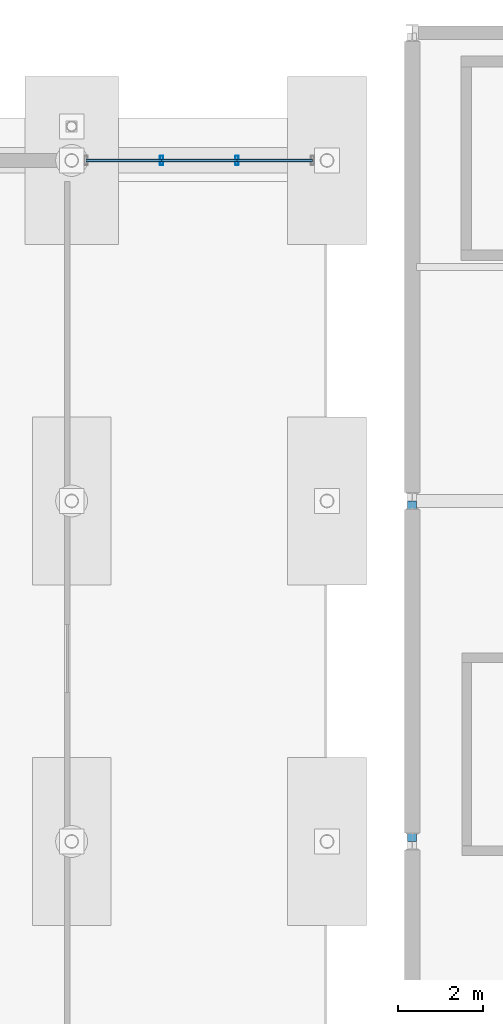
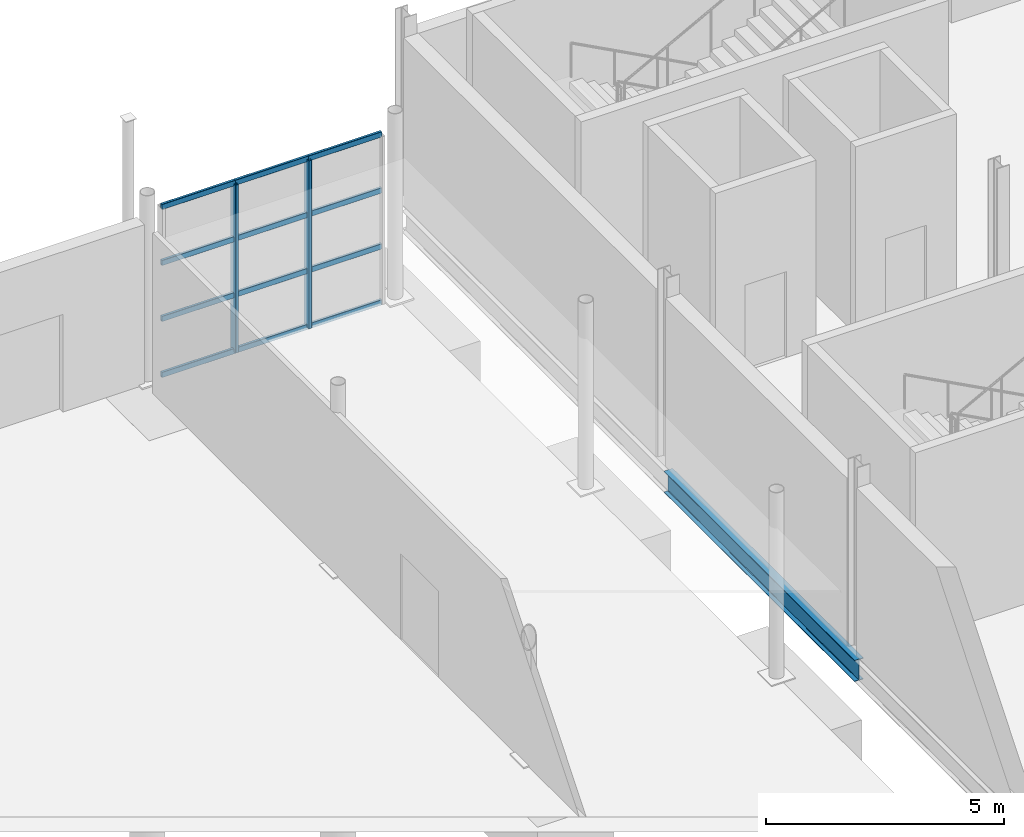
# One storey, part 53 of 101: 14 members, 1 beam, 1 element without a shape of its own.
"""IFC4 building model written with IfcOpenShell, lengths in metres."""

from ifc_helpers import new_model, si_unit, derived_unit, direction, frame, origin, origin_2d, place, context, subcontext, project, spatial, hollow_rectangle, i_section, extrude, material, material_profile, profile_set, type_object, element, aggregate, save


model = new_model("IFC4")

# Units and contexts
model_context = context("Model", 3, precision=1e-05, world=origin(), true_north=direction((0.0, 1.0)))
body_context = subcontext(model_context, "Body", "Model", "MODEL_VIEW")
ifc_project = project(units=[si_unit("LENGTHUNIT", "METRE"), si_unit("AREAUNIT", "SQUARE_METRE"), si_unit("VOLUMEUNIT", "CUBIC_METRE"), si_unit("PLANEANGLEUNIT", "RADIAN"), si_unit("MASSUNIT", "GRAM", prefix="KILO"), derived_unit("THERMALTRANSMITTANCEUNIT", [(si_unit("POWERUNIT", "WATT"), 1), (si_unit("LENGTHUNIT", "METRE"), -2), (si_unit("THERMODYNAMICTEMPERATUREUNIT", "KELVIN"), -1)])], contexts=[model_context])

# Site, building, storey
site_placement = place(None, origin())
site = spatial("IfcSite", under=ifc_project, at=site_placement, CompositionType="ELEMENT")
building_placement = place(site_placement, origin())
building = spatial("IfcBuilding", under=site, at=building_placement, Name="Keldorne Ridge Multi-Sports Centre", CompositionType="ELEMENT")
storey_placement = place(building_placement, origin())
storey = spatial("IfcBuildingStorey", under=building, at=storey_placement, Name="L00", CompositionType="ELEMENT", Elevation=0.0)

# Beam
ifc_material_1 = material(Name="Steel S355", Category="steel")
ifc_material_profile_1 = material_profile(ifc_material_1, i_section(OverallWidth=0.2099609375, OverallDepth=0.550048828125, WebThickness=0.010986328125, FlangeThickness=0.01708984375, FilletRadius=0.02392578125, at=origin_2d()), Name="IPE 550")
ifc_profile_set_1 = profile_set([ifc_material_profile_1], Name="Steel S355")
beam_type = type_object("IfcBeamType", Name="BM-B-01", PredefinedType="BEAM", material=ifc_profile_set_1)
beam_placement = place(storey_placement, frame((104.0, 98.0, -0.544921875), z_axis=(0.0, 1.0, 0.0), x_axis=(-1.0, 0.0, 0.0)))
element("IfcBeam", 1, at=beam_placement, inside=storey, type_object=beam_type, Name="L00 primary girder 104.5", PredefinedType="BEAM", context=body_context, shape_type="SweptSolid", body=[
    extrude(i_section(OverallWidth=0.2099609375, OverallDepth=0.550048828125, WebThickness=0.010986328125, FlangeThickness=0.01708984375, FilletRadius=0.02392578125, at=origin_2d()), origin(), (0.0, 0.0, 1.0), 8.0),
])

# Curtain wall, members
ifc_material_2 = material(Name="Anodized aluminium", Category="aluminium")
curtain_wall_type = type_object("IfcCurtainWallType", Name="CW-CW-06", PredefinedType="NOTDEFINED", material=ifc_material_2)
curtain_wall_placement = place(storey_placement, origin())
curtain_wall = element("IfcCurtainWall", 2, at=curtain_wall_placement, inside=storey, type_object=curtain_wall_type, Name="Public Passage N foyer glazing 078", PredefinedType="NOTDEFINED")
ifc_material_profile_2 = material_profile(ifc_material_2, hollow_rectangle(XDim=0.074951171875, YDim=0.219970703125, WallThickness=0.0048828125, InnerFilletRadius=0.0048828125, OuterFilletRadius=0.010009765625, at=origin_2d()), Name="ALU MULLION 220x75x5")
ifc_profile_set_2 = profile_set([ifc_material_profile_2], Name="Anodized aluminium")
member_type_1 = type_object("IfcMemberType", Name="MEM-ML-02", PredefinedType="MULLION", material=ifc_profile_set_2)
member_1_placement = place(storey_placement, frame((99.88671875, 114.0, 0.0), z_axis=(0.0, 0.0, 1.0), x_axis=(1.0, 0.0, 0.0)))
member_1 = element("IfcMember", 3, at=member_1_placement, type_object=member_type_1, Name="CW-078 vertical mullion 2", PredefinedType="MULLION", context=body_context, shape_type="SweptSolid", body=[
    extrude(hollow_rectangle(XDim=0.074951171875, YDim=0.219970703125, WallThickness=0.0048828125, InnerFilletRadius=0.0048828125, OuterFilletRadius=0.010009765625, at=origin_2d()), origin(), (0.0, 0.0, 1.0), 4.300048828125),
])
member_2_placement = place(storey_placement, frame((98.11328125, 114.0, 0.0), z_axis=(0.0, 0.0, 1.0), x_axis=(1.0, 0.0, 0.0)))
member_2 = element("IfcMember", 4, at=member_2_placement, type_object=member_type_1, Name="CW-078 vertical mullion 3", PredefinedType="MULLION", context=body_context, shape_type="SweptSolid", body=[
    extrude(hollow_rectangle(XDim=0.074951171875, YDim=0.219970703125, WallThickness=0.0048828125, InnerFilletRadius=0.0048828125, OuterFilletRadius=0.010009765625, at=origin_2d()), origin(), (0.0, 0.0, 1.0), 4.300048828125),
])
ifc_material_profile_3 = material_profile(ifc_material_2, hollow_rectangle(XDim=0.06494140625, YDim=0.139892578125, WallThickness=0.00439453125, InnerFilletRadius=0.00439453125, OuterFilletRadius=0.009033203125, at=origin_2d()), Name="ALU TRANSOM 140x65x4.5")
ifc_profile_set_3 = profile_set([ifc_material_profile_3], Name="Anodized aluminium")
member_type_2 = type_object("IfcMemberType", Name="MEM-TR-01", PredefinedType="USERDEFINED", material=ifc_profile_set_3)
member_3_placement = place(storey_placement, frame((101.659912109375, 114.0, 0.0), z_axis=(-1.0, 0.0, 0.0), x_axis=(0.0, -1.0, 0.0)))
member_3 = element("IfcMember", 5, at=member_3_placement, type_object=member_type_2, Name="CW-078 transom 1.1", ObjectType="TRANSOM", PredefinedType="USERDEFINED", context=body_context, shape_type="SweptSolid", body=[
    extrude(hollow_rectangle(XDim=0.06494140625, YDim=0.139892578125, WallThickness=0.00439453125, InnerFilletRadius=0.00439453125, OuterFilletRadius=0.009033203125, at=origin_2d()), origin(), (0.0, 0.0, 1.0), 1.773193359375),
])
member_4_placement = place(storey_placement, frame((101.659912109375, 114.0, 1.433349609375), z_axis=(-1.0, 0.0, 0.0), x_axis=(0.0, -1.0, 0.0)))
member_4 = element("IfcMember", 6, at=member_4_placement, type_object=member_type_2, Name="CW-078 transom 1.2", ObjectType="TRANSOM", PredefinedType="USERDEFINED", context=body_context, shape_type="SweptSolid", body=[
    extrude(hollow_rectangle(XDim=0.06494140625, YDim=0.139892578125, WallThickness=0.00439453125, InnerFilletRadius=0.00439453125, OuterFilletRadius=0.009033203125, at=origin_2d()), origin(), (0.0, 0.0, 1.0), 1.773193359375),
])
member_5_placement = place(storey_placement, frame((101.659912109375, 114.0, 2.86669921875), z_axis=(-1.0, 0.0, 0.0), x_axis=(0.0, -1.0, 0.0)))
member_5 = element("IfcMember", 7, at=member_5_placement, type_object=member_type_2, Name="CW-078 transom 1.3", ObjectType="TRANSOM", PredefinedType="USERDEFINED", context=body_context, shape_type="SweptSolid", body=[
    extrude(hollow_rectangle(XDim=0.06494140625, YDim=0.139892578125, WallThickness=0.00439453125, InnerFilletRadius=0.00439453125, OuterFilletRadius=0.009033203125, at=origin_2d()), origin(), (0.0, 0.0, 1.0), 1.773193359375),
])
member_6_placement = place(storey_placement, frame((101.659912109375, 114.0, 4.300048828125), z_axis=(-1.0, 0.0, 0.0), x_axis=(0.0, -1.0, 0.0)))
member_6 = element("IfcMember", 8, at=member_6_placement, type_object=member_type_2, Name="CW-078 transom 1.4", ObjectType="TRANSOM", PredefinedType="USERDEFINED", context=body_context, shape_type="SweptSolid", body=[
    extrude(hollow_rectangle(XDim=0.06494140625, YDim=0.139892578125, WallThickness=0.00439453125, InnerFilletRadius=0.00439453125, OuterFilletRadius=0.009033203125, at=origin_2d()), origin(), (0.0, 0.0, 1.0), 1.773193359375),
])
member_7_placement = place(storey_placement, frame((99.88671875, 114.0, 0.0), z_axis=(-1.0, 0.0, 0.0), x_axis=(0.0, -1.0, 0.0)))
member_7 = element("IfcMember", 9, at=member_7_placement, type_object=member_type_2, Name="CW-078 transom 2.1", ObjectType="TRANSOM", PredefinedType="USERDEFINED", context=body_context, shape_type="SweptSolid", body=[
    extrude(hollow_rectangle(XDim=0.06494140625, YDim=0.139892578125, WallThickness=0.00439453125, InnerFilletRadius=0.00439453125, OuterFilletRadius=0.009033203125, at=origin_2d()), origin(), (0.0, 0.0, 1.0), 1.7734375),
])
member_8_placement = place(storey_placement, frame((99.88671875, 114.0, 1.433349609375), z_axis=(-1.0, 0.0, 0.0), x_axis=(0.0, -1.0, 0.0)))
member_8 = element("IfcMember", 10, at=member_8_placement, type_object=member_type_2, Name="CW-078 transom 2.2", ObjectType="TRANSOM", PredefinedType="USERDEFINED", context=body_context, shape_type="SweptSolid", body=[
    extrude(hollow_rectangle(XDim=0.06494140625, YDim=0.139892578125, WallThickness=0.00439453125, InnerFilletRadius=0.00439453125, OuterFilletRadius=0.009033203125, at=origin_2d()), origin(), (0.0, 0.0, 1.0), 1.7734375),
])
member_9_placement = place(storey_placement, frame((99.88671875, 114.0, 2.86669921875), z_axis=(-1.0, 0.0, 0.0), x_axis=(0.0, -1.0, 0.0)))
member_9 = element("IfcMember", 11, at=member_9_placement, type_object=member_type_2, Name="CW-078 transom 2.3", ObjectType="TRANSOM", PredefinedType="USERDEFINED", context=body_context, shape_type="SweptSolid", body=[
    extrude(hollow_rectangle(XDim=0.06494140625, YDim=0.139892578125, WallThickness=0.00439453125, InnerFilletRadius=0.00439453125, OuterFilletRadius=0.009033203125, at=origin_2d()), origin(), (0.0, 0.0, 1.0), 1.7734375),
])
member_10_placement = place(storey_placement, frame((99.88671875, 114.0, 4.300048828125), z_axis=(-1.0, 0.0, 0.0), x_axis=(0.0, -1.0, 0.0)))
member_10 = element("IfcMember", 12, at=member_10_placement, type_object=member_type_2, Name="CW-078 transom 2.4", ObjectType="TRANSOM", PredefinedType="USERDEFINED", context=body_context, shape_type="SweptSolid", body=[
    extrude(hollow_rectangle(XDim=0.06494140625, YDim=0.139892578125, WallThickness=0.00439453125, InnerFilletRadius=0.00439453125, OuterFilletRadius=0.009033203125, at=origin_2d()), origin(), (0.0, 0.0, 1.0), 1.7734375),
])
member_11_placement = place(storey_placement, frame((98.11328125, 114.0, 0.0), z_axis=(-1.0, 0.0, 0.0), x_axis=(0.0, -1.0, 0.0)))
member_11 = element("IfcMember", 13, at=member_11_placement, type_object=member_type_2, Name="CW-078 transom 3.1", ObjectType="TRANSOM", PredefinedType="USERDEFINED", context=body_context, shape_type="SweptSolid", body=[
    extrude(hollow_rectangle(XDim=0.06494140625, YDim=0.139892578125, WallThickness=0.00439453125, InnerFilletRadius=0.00439453125, OuterFilletRadius=0.009033203125, at=origin_2d()), origin(), (0.0, 0.0, 1.0), 1.773193359375),
])
member_12_placement = place(storey_placement, frame((98.11328125, 114.0, 1.433349609375), z_axis=(-1.0, 0.0, 0.0), x_axis=(0.0, -1.0, 0.0)))
member_12 = element("IfcMember", 14, at=member_12_placement, type_object=member_type_2, Name="CW-078 transom 3.2", ObjectType="TRANSOM", PredefinedType="USERDEFINED", context=body_context, shape_type="SweptSolid", body=[
    extrude(hollow_rectangle(XDim=0.06494140625, YDim=0.139892578125, WallThickness=0.00439453125, InnerFilletRadius=0.00439453125, OuterFilletRadius=0.009033203125, at=origin_2d()), origin(), (0.0, 0.0, 1.0), 1.773193359375),
])
member_13_placement = place(storey_placement, frame((98.11328125, 114.0, 2.86669921875), z_axis=(-1.0, 0.0, 0.0), x_axis=(0.0, -1.0, 0.0)))
member_13 = element("IfcMember", 15, at=member_13_placement, type_object=member_type_2, Name="CW-078 transom 3.3", ObjectType="TRANSOM", PredefinedType="USERDEFINED", context=body_context, shape_type="SweptSolid", body=[
    extrude(hollow_rectangle(XDim=0.06494140625, YDim=0.139892578125, WallThickness=0.00439453125, InnerFilletRadius=0.00439453125, OuterFilletRadius=0.009033203125, at=origin_2d()), origin(), (0.0, 0.0, 1.0), 1.773193359375),
])
member_14_placement = place(storey_placement, frame((98.11328125, 114.0, 4.300048828125), z_axis=(-1.0, 0.0, 0.0), x_axis=(0.0, -1.0, 0.0)))
member_14 = element("IfcMember", 16, at=member_14_placement, type_object=member_type_2, Name="CW-078 transom 3.4", ObjectType="TRANSOM", PredefinedType="USERDEFINED", context=body_context, shape_type="SweptSolid", body=[
    extrude(hollow_rectangle(XDim=0.06494140625, YDim=0.139892578125, WallThickness=0.00439453125, InnerFilletRadius=0.00439453125, OuterFilletRadius=0.009033203125, at=origin_2d()), origin(), (0.0, 0.0, 1.0), 1.773193359375),
])
aggregate(curtain_wall, [member_1, member_2, member_3, member_4, member_5, member_6, member_7, member_8, member_9, member_10, member_11, member_12, member_13, member_14])

save(model, "model.ifc")
